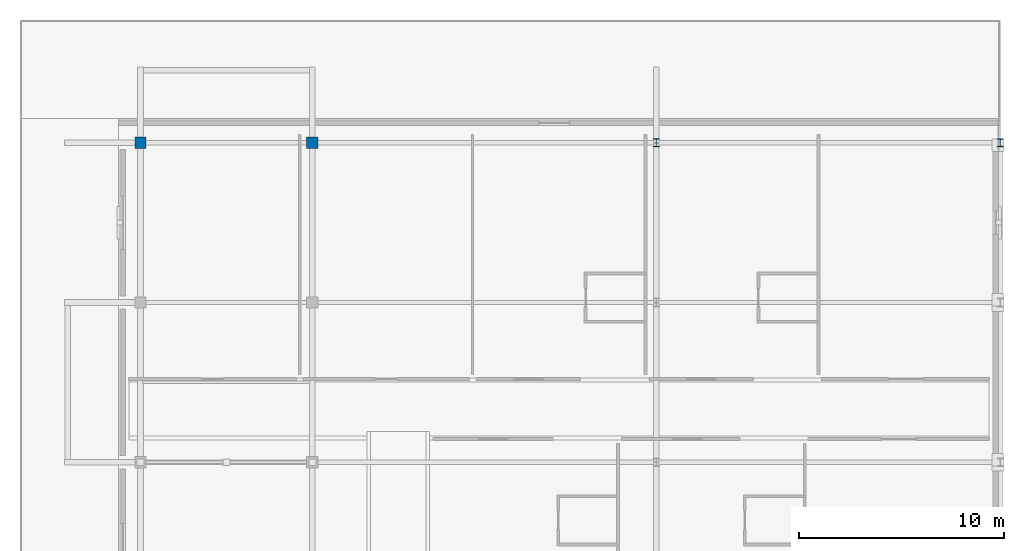
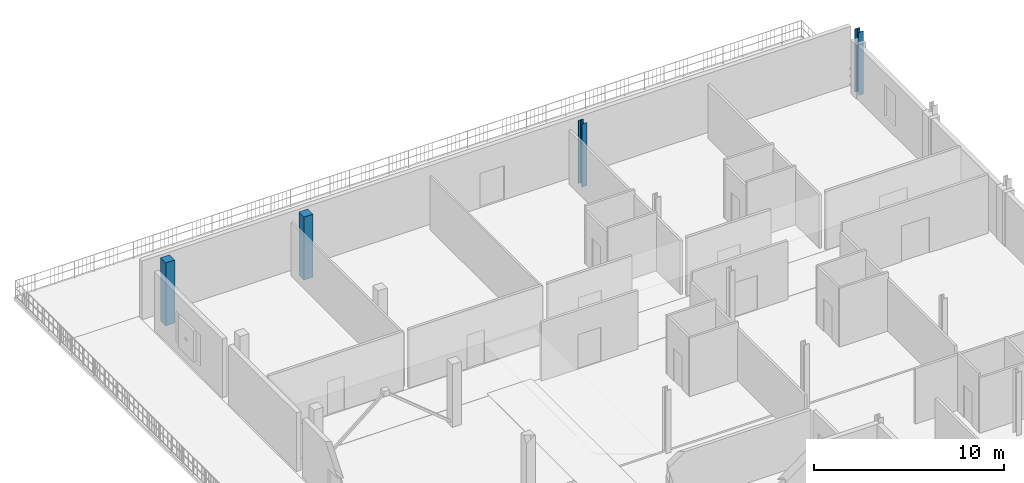
# One storey, part 4 of 16: 4 columns.
"""IFC4 building model written with IfcOpenShell, lengths in metres."""

from ifc_helpers import new_model, si_unit, direction, frame, origin, origin_2d, place, context, subcontext, project, spatial, rectangle, i_section, extrude, material, material_profile, profile_set, type_object, element, save


model = new_model("IFC4")

# Units and contexts
model_context = context("Model", 3, precision=1e-05, world=origin(), true_north=direction((0.0, 1.0)))
body_context = subcontext(model_context, "Body", "Model", "MODEL_VIEW")
ifc_project = project(units=[si_unit("LENGTHUNIT", "METRE"), si_unit("AREAUNIT", "SQUARE_METRE"), si_unit("VOLUMEUNIT", "CUBIC_METRE"), si_unit("PLANEANGLEUNIT", "RADIAN"), si_unit("MASSUNIT", "GRAM", prefix="KILO")], contexts=[model_context])

# Site, building, storey
site_placement = place(None, origin())
site = spatial("IfcSite", under=ifc_project, at=site_placement, CompositionType="ELEMENT")
building_placement = place(site_placement, origin())
building = spatial("IfcBuilding", under=site, at=building_placement, Name="Nabrawat Pavilion Hospital", CompositionType="ELEMENT")
storey_placement = place(building_placement, frame((0.0, 0.0, 31.050048828125)))
storey = spatial("IfcBuildingStorey", under=building, at=storey_placement, Name="L07", CompositionType="ELEMENT", Elevation=31.050048828125)

# Columns
ifc_material_1 = material(Name="Steel S355", Category="steel")
ifc_material_profile_1 = material_profile(ifc_material_1, i_section(OverallWidth=0.300048828125, OverallDepth=0.39990234375, WebThickness=0.013427734375, FlangeThickness=0.02392578125, FilletRadius=0.027099609375, at=origin_2d()), Name="HEB 400")
ifc_profile_set_1 = profile_set([ifc_material_profile_1], Name="Steel S355")
column_type_1 = type_object("IfcColumnType", Name="Composite Steel Column HEB 400", PredefinedType="COLUMN", material=ifc_profile_set_1)
for number, where, z_axis, x_axis, name in (
    (1, (176.39990234375, 109.199951171875, 0.0), (0.0, 0.0, 1.0), (1.0, 0.0, 0.0), "L07 Structural Column G-22-Q"),
    (2, (193.199951171875, 109.199951171875, 0.0), (0.0, 0.0, 1.0), (1.0, 0.0, 0.0), "L07 Structural Column G-24-Q"),
):
    element("IfcColumn", number, at=place(storey_placement, frame(where, z_axis=z_axis, x_axis=x_axis)), inside=storey, type_object=column_type_1, Name=name, PredefinedType="COLUMN", context=body_context, shape_type="SweptSolid", body=[
        extrude(i_section(OverallWidth=0.300048828125, OverallDepth=0.39990234375, WebThickness=0.013427734375, FlangeThickness=0.02392578125, FilletRadius=0.027099609375, at=origin_2d()), origin(), (0.0, 0.0, 1.0), 4.050048828125),
    ])
ifc_material_2 = material(Name="Concrete C40/50", Category="concrete")
ifc_material_profile_2 = material_profile(ifc_material_2, rectangle(XDim=0.550048828125, YDim=0.550048828125, at=origin_2d()), Name="RC 550x550")
ifc_profile_set_2 = profile_set([ifc_material_profile_2], Name="Concrete C40/50")
column_type_2 = type_object("IfcColumnType", Name="Top Ward RC Column 550x550", PredefinedType="COLUMN", material=ifc_profile_set_2)
for number, where, z_axis, x_axis, name in (
    (3, (151.199951171875, 109.199951171875, 0.0), (0.0, 0.0, 1.0), (1.0, 0.0, 0.0), "L07 Structural Column G-19-Q"),
    (4, (159.60009765625, 109.199951171875, 0.0), (0.0, 0.0, 1.0), (1.0, 0.0, 0.0), "L07 Structural Column G-20-Q"),
):
    element("IfcColumn", number, at=place(storey_placement, frame(where, z_axis=z_axis, x_axis=x_axis)), inside=storey, type_object=column_type_2, Name=name, PredefinedType="COLUMN", context=body_context, shape_type="SweptSolid", body=[
        extrude(rectangle(XDim=0.550048828125, YDim=0.550048828125, at=origin_2d()), origin(), (0.0, 0.0, 1.0), 4.050048828125),
    ])

save(model, "model.ifc")
